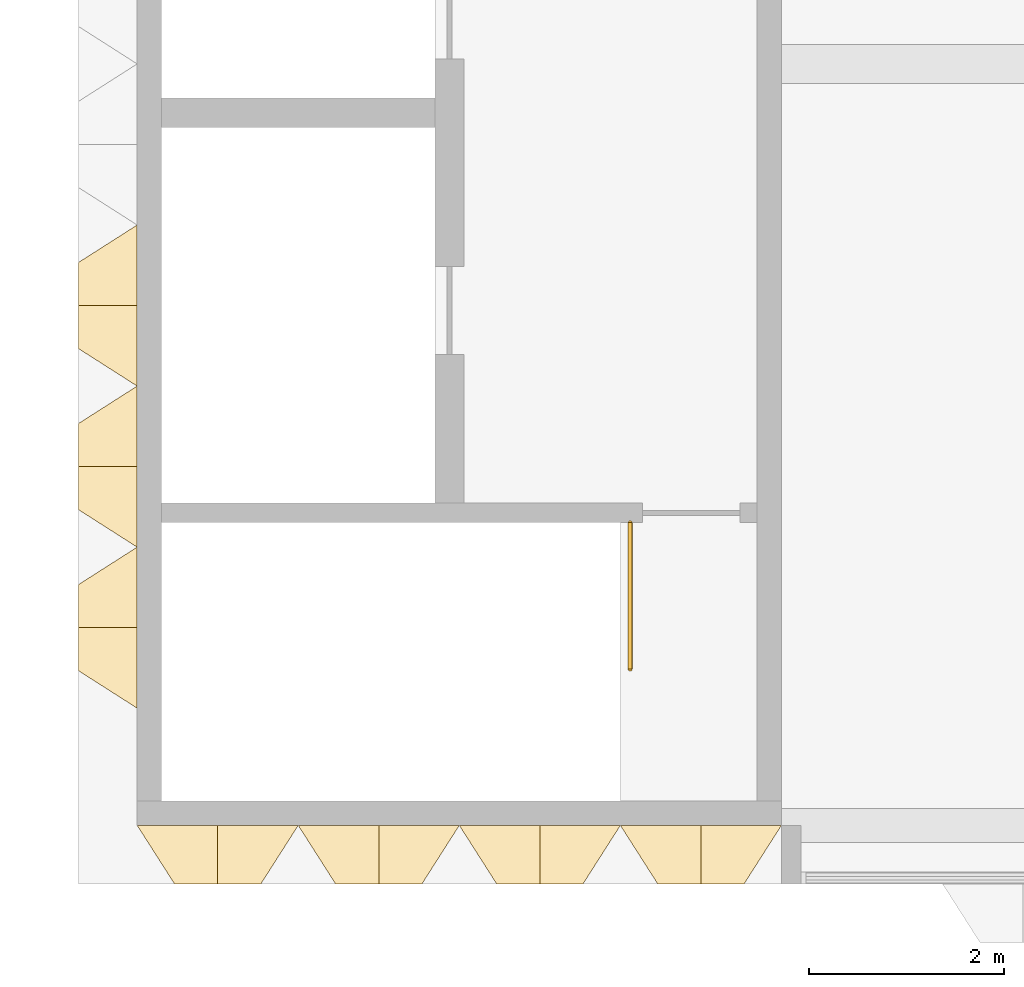
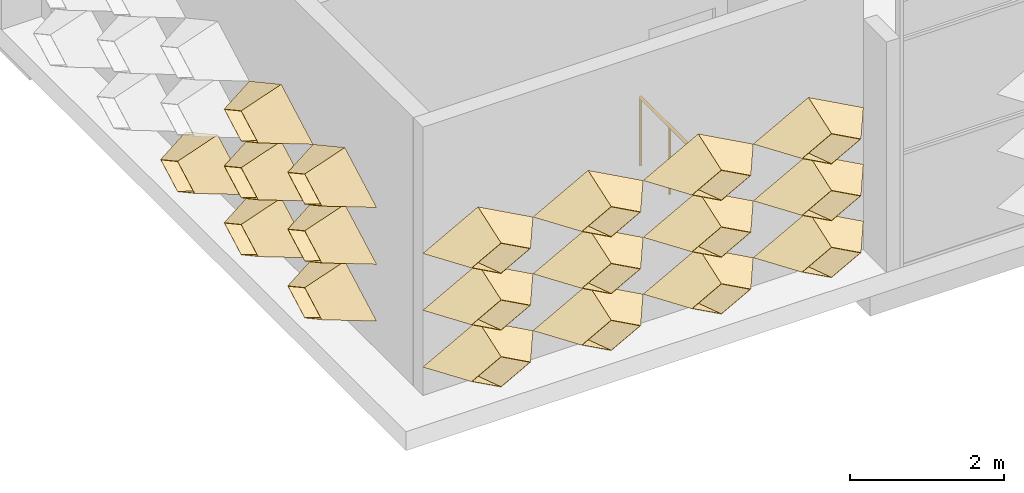
# One storey, part 11 of 21: 19 coverings, 1 railing.
"""IFC4 building model written with IfcOpenShell, lengths in metres."""

from ifc_helpers import new_model, entity, si_unit, direction, frame, origin, origin_2d, place, context, subcontext, project, spatial, circle, extrude, material, layer, layer_set, type_object, element, save


model = new_model("IFC4")

# Units and contexts
model_context = context("Model", 3, precision=1e-05, world=origin(), true_north=direction((0.0, 1.0)))
body_context = subcontext(model_context, "Body", "Model", "MODEL_VIEW")
ifc_project = project(units=[si_unit("LENGTHUNIT", "METRE"), si_unit("AREAUNIT", "SQUARE_METRE"), si_unit("VOLUMEUNIT", "CUBIC_METRE"), si_unit("PLANEANGLEUNIT", "RADIAN"), si_unit("MASSUNIT", "GRAM", prefix="KILO")], contexts=[model_context])

# Site, building, storey
site_placement = place(None, origin())
site = spatial("IfcSite", under=ifc_project, at=site_placement, CompositionType="ELEMENT")
building_placement = place(site_placement, origin())
building = spatial("IfcBuilding", under=site, at=building_placement, Name="Lantern Court Research Institute", CompositionType="ELEMENT")
storey_placement = place(building_placement, frame((0.0, 0.0, 41.39990234375)))
storey = spatial("IfcBuildingStorey", under=building, at=storey_placement, Name="L09", CompositionType="ELEMENT", Elevation=41.39990234375)

# Coverings
ifc_material_1 = material(Name="Anodised aluminium", Category="aluminium")
ifc_layer = layer(ifc_material_1, 0.01611328125)
ifc_layer_set = layer_set([ifc_layer], Name="Anodised aluminium")
covering_type = type_object("IfcCoveringType", Name="Fin cassette 1650 x 900 x 600 aluminium", PredefinedType="CLADDING", material=ifc_layer_set)
covering_1_placement = place(storey_placement, frame((53.625, -7.800048828125, 0.4501953125), z_axis=(0.0, -1.0, 0.0), x_axis=(1.0, 0.0, 0.0)))
cartesian_point_1 = entity("IfcCartesianPoint", [0.824951171875, 0.0])
cartesian_point_2 = entity("IfcCartesianPoint", [0.79150390625, 0.0])
cartesian_point_3 = entity("IfcCartesianPoint", [0.44189453125, 0.0])
cartesian_point_4 = entity("IfcCartesianPoint", [0.43359375, 0.0])
element("IfcCovering", 1, at=covering_1_placement, inside=storey, type_object=covering_type, Name="Fin cassette V5S-L09 1.33", PredefinedType="CLADDING", context=body_context, shape_type="SweptSolid", body=[
    entity("IfcExtrudedAreaSolidTapered", entity("IfcArbitraryProfileDefWithVoids", "AREA", None, entity("IfcPolyline", [cartesian_point_1, entity("IfcCartesianPoint", [0.0, 0.449951171875]), entity("IfcCartesianPoint", [-0.824951171875, 0.0]), entity("IfcCartesianPoint", [0.0, -0.449951171875]), cartesian_point_1]), [entity("IfcPolyline", [cartesian_point_2, entity("IfcCartesianPoint", [0.0, 0.431884765625]), entity("IfcCartesianPoint", [-0.79150390625, 0.0]), entity("IfcCartesianPoint", [0.0, -0.431884765625]), cartesian_point_2])]), entity("IfcAxis2Placement3D", entity("IfcCartesianPoint", [0.0, 0.0, 0.0])), entity("IfcDirection", [0.0, 0.0, 1.0]), 0.60009765625, entity("IfcArbitraryProfileDefWithVoids", "AREA", None, entity("IfcPolyline", [cartesian_point_3, entity("IfcCartesianPoint", [0.0, 0.240966796875]), entity("IfcCartesianPoint", [-0.44189453125, 0.0]), entity("IfcCartesianPoint", [0.0, -0.240966796875]), cartesian_point_3]), [entity("IfcPolyline", [cartesian_point_4, entity("IfcCartesianPoint", [0.0, 0.236572265625]), entity("IfcCartesianPoint", [-0.43359375, 0.0]), entity("IfcCartesianPoint", [0.0, -0.236572265625]), cartesian_point_4])])),
])
covering_2_placement = place(storey_placement, frame((55.27490234375, -7.800048828125, 0.4501953125), z_axis=(0.0, -1.0, 0.0), x_axis=(1.0, 0.0, 0.0)))
cartesian_point_5 = entity("IfcCartesianPoint", [0.824951171875, 0.0])
cartesian_point_6 = entity("IfcCartesianPoint", [0.79150390625, 0.0])
cartesian_point_7 = entity("IfcCartesianPoint", [0.44189453125, 0.0])
cartesian_point_8 = entity("IfcCartesianPoint", [0.43359375, 0.0])
element("IfcCovering", 2, at=covering_2_placement, inside=storey, type_object=covering_type, Name="Fin cassette V5S-L09 1.34", PredefinedType="CLADDING", context=body_context, shape_type="SweptSolid", body=[
    entity("IfcExtrudedAreaSolidTapered", entity("IfcArbitraryProfileDefWithVoids", "AREA", None, entity("IfcPolyline", [cartesian_point_5, entity("IfcCartesianPoint", [0.0, 0.449951171875]), entity("IfcCartesianPoint", [-0.824951171875, 0.0]), entity("IfcCartesianPoint", [0.0, -0.449951171875]), cartesian_point_5]), [entity("IfcPolyline", [cartesian_point_6, entity("IfcCartesianPoint", [0.0, 0.431884765625]), entity("IfcCartesianPoint", [-0.79150390625, 0.0]), entity("IfcCartesianPoint", [0.0, -0.431884765625]), cartesian_point_6])]), entity("IfcAxis2Placement3D", entity("IfcCartesianPoint", [0.0, 0.0, 0.0])), entity("IfcDirection", [0.0, 0.0, 1.0]), 0.60009765625, entity("IfcArbitraryProfileDefWithVoids", "AREA", None, entity("IfcPolyline", [cartesian_point_7, entity("IfcCartesianPoint", [0.0, 0.240966796875]), entity("IfcCartesianPoint", [-0.44189453125, 0.0]), entity("IfcCartesianPoint", [0.0, -0.240966796875]), cartesian_point_7]), [entity("IfcPolyline", [cartesian_point_8, entity("IfcCartesianPoint", [0.0, 0.236572265625]), entity("IfcCartesianPoint", [-0.43359375, 0.0]), entity("IfcCartesianPoint", [0.0, -0.236572265625]), cartesian_point_8])])),
])
covering_3_placement = place(storey_placement, frame((56.925048828125, -7.800048828125, 0.4501953125), z_axis=(0.0, -1.0, 0.0), x_axis=(1.0, 0.0, 0.0)))
cartesian_point_9 = entity("IfcCartesianPoint", [0.824951171875, 0.0])
cartesian_point_10 = entity("IfcCartesianPoint", [0.79150390625, 0.0])
cartesian_point_11 = entity("IfcCartesianPoint", [0.44189453125, 0.0])
cartesian_point_12 = entity("IfcCartesianPoint", [0.43359375, 0.0])
element("IfcCovering", 3, at=covering_3_placement, inside=storey, type_object=covering_type, Name="Fin cassette V5S-L09 1.35", PredefinedType="CLADDING", context=body_context, shape_type="SweptSolid", body=[
    entity("IfcExtrudedAreaSolidTapered", entity("IfcArbitraryProfileDefWithVoids", "AREA", None, entity("IfcPolyline", [cartesian_point_9, entity("IfcCartesianPoint", [0.0, 0.449951171875]), entity("IfcCartesianPoint", [-0.824951171875, 0.0]), entity("IfcCartesianPoint", [0.0, -0.449951171875]), cartesian_point_9]), [entity("IfcPolyline", [cartesian_point_10, entity("IfcCartesianPoint", [0.0, 0.431884765625]), entity("IfcCartesianPoint", [-0.79150390625, 0.0]), entity("IfcCartesianPoint", [0.0, -0.431884765625]), cartesian_point_10])]), entity("IfcAxis2Placement3D", entity("IfcCartesianPoint", [0.0, 0.0, 0.0])), entity("IfcDirection", [0.0, 0.0, 1.0]), 0.60009765625, entity("IfcArbitraryProfileDefWithVoids", "AREA", None, entity("IfcPolyline", [cartesian_point_11, entity("IfcCartesianPoint", [0.0, 0.240966796875]), entity("IfcCartesianPoint", [-0.44189453125, 0.0]), entity("IfcCartesianPoint", [0.0, -0.240966796875]), cartesian_point_11]), [entity("IfcPolyline", [cartesian_point_12, entity("IfcCartesianPoint", [0.0, 0.236572265625]), entity("IfcCartesianPoint", [-0.43359375, 0.0]), entity("IfcCartesianPoint", [0.0, -0.236572265625]), cartesian_point_12])])),
])
covering_4_placement = place(storey_placement, frame((58.574951171875, -7.800048828125, 0.4501953125), z_axis=(0.0, -1.0, 0.0), x_axis=(1.0, 0.0, 0.0)))
cartesian_point_13 = entity("IfcCartesianPoint", [0.824951171875, 0.0])
cartesian_point_14 = entity("IfcCartesianPoint", [0.79150390625, 0.0])
cartesian_point_15 = entity("IfcCartesianPoint", [0.44189453125, 0.0])
cartesian_point_16 = entity("IfcCartesianPoint", [0.43359375, 0.0])
element("IfcCovering", 4, at=covering_4_placement, inside=storey, type_object=covering_type, Name="Fin cassette V5S-L09 1.36", PredefinedType="CLADDING", context=body_context, shape_type="SweptSolid", body=[
    entity("IfcExtrudedAreaSolidTapered", entity("IfcArbitraryProfileDefWithVoids", "AREA", None, entity("IfcPolyline", [cartesian_point_13, entity("IfcCartesianPoint", [0.0, 0.449951171875]), entity("IfcCartesianPoint", [-0.824951171875, 0.0]), entity("IfcCartesianPoint", [0.0, -0.449951171875]), cartesian_point_13]), [entity("IfcPolyline", [cartesian_point_14, entity("IfcCartesianPoint", [0.0, 0.431884765625]), entity("IfcCartesianPoint", [-0.79150390625, 0.0]), entity("IfcCartesianPoint", [0.0, -0.431884765625]), cartesian_point_14])]), entity("IfcAxis2Placement3D", entity("IfcCartesianPoint", [0.0, 0.0, 0.0])), entity("IfcDirection", [0.0, 0.0, 1.0]), 0.60009765625, entity("IfcArbitraryProfileDefWithVoids", "AREA", None, entity("IfcPolyline", [cartesian_point_15, entity("IfcCartesianPoint", [0.0, 0.240966796875]), entity("IfcCartesianPoint", [-0.44189453125, 0.0]), entity("IfcCartesianPoint", [0.0, -0.240966796875]), cartesian_point_15]), [entity("IfcPolyline", [cartesian_point_16, entity("IfcCartesianPoint", [0.0, 0.236572265625]), entity("IfcCartesianPoint", [-0.43359375, 0.0]), entity("IfcCartesianPoint", [0.0, -0.236572265625]), cartesian_point_16])])),
])
covering_5_placement = place(storey_placement, frame((53.625, -7.800048828125, 1.35009765625), z_axis=(0.0, -1.0, 0.0), x_axis=(1.0, 0.0, 0.0)))
cartesian_point_17 = entity("IfcCartesianPoint", [0.824951171875, 0.0])
cartesian_point_18 = entity("IfcCartesianPoint", [0.79150390625, 0.0])
cartesian_point_19 = entity("IfcCartesianPoint", [0.44189453125, 0.0])
cartesian_point_20 = entity("IfcCartesianPoint", [0.43359375, 0.0])
element("IfcCovering", 5, at=covering_5_placement, inside=storey, type_object=covering_type, Name="Fin cassette V5S-L09 2.33", PredefinedType="CLADDING", context=body_context, shape_type="SweptSolid", body=[
    entity("IfcExtrudedAreaSolidTapered", entity("IfcArbitraryProfileDefWithVoids", "AREA", None, entity("IfcPolyline", [cartesian_point_17, entity("IfcCartesianPoint", [0.0, 0.449951171875]), entity("IfcCartesianPoint", [-0.824951171875, 0.0]), entity("IfcCartesianPoint", [0.0, -0.449951171875]), cartesian_point_17]), [entity("IfcPolyline", [cartesian_point_18, entity("IfcCartesianPoint", [0.0, 0.431884765625]), entity("IfcCartesianPoint", [-0.79150390625, 0.0]), entity("IfcCartesianPoint", [0.0, -0.431884765625]), cartesian_point_18])]), entity("IfcAxis2Placement3D", entity("IfcCartesianPoint", [0.0, 0.0, 0.0])), entity("IfcDirection", [0.0, 0.0, 1.0]), 0.60009765625, entity("IfcArbitraryProfileDefWithVoids", "AREA", None, entity("IfcPolyline", [cartesian_point_19, entity("IfcCartesianPoint", [0.0, 0.240966796875]), entity("IfcCartesianPoint", [-0.44189453125, 0.0]), entity("IfcCartesianPoint", [0.0, -0.240966796875]), cartesian_point_19]), [entity("IfcPolyline", [cartesian_point_20, entity("IfcCartesianPoint", [0.0, 0.236572265625]), entity("IfcCartesianPoint", [-0.43359375, 0.0]), entity("IfcCartesianPoint", [0.0, -0.236572265625]), cartesian_point_20])])),
])
covering_6_placement = place(storey_placement, frame((55.27490234375, -7.800048828125, 1.35009765625), z_axis=(0.0, -1.0, 0.0), x_axis=(1.0, 0.0, 0.0)))
cartesian_point_21 = entity("IfcCartesianPoint", [0.824951171875, 0.0])
cartesian_point_22 = entity("IfcCartesianPoint", [0.79150390625, 0.0])
cartesian_point_23 = entity("IfcCartesianPoint", [0.44189453125, 0.0])
cartesian_point_24 = entity("IfcCartesianPoint", [0.43359375, 0.0])
element("IfcCovering", 6, at=covering_6_placement, inside=storey, type_object=covering_type, Name="Fin cassette V5S-L09 2.34", PredefinedType="CLADDING", context=body_context, shape_type="SweptSolid", body=[
    entity("IfcExtrudedAreaSolidTapered", entity("IfcArbitraryProfileDefWithVoids", "AREA", None, entity("IfcPolyline", [cartesian_point_21, entity("IfcCartesianPoint", [0.0, 0.449951171875]), entity("IfcCartesianPoint", [-0.824951171875, 0.0]), entity("IfcCartesianPoint", [0.0, -0.449951171875]), cartesian_point_21]), [entity("IfcPolyline", [cartesian_point_22, entity("IfcCartesianPoint", [0.0, 0.431884765625]), entity("IfcCartesianPoint", [-0.79150390625, 0.0]), entity("IfcCartesianPoint", [0.0, -0.431884765625]), cartesian_point_22])]), entity("IfcAxis2Placement3D", entity("IfcCartesianPoint", [0.0, 0.0, 0.0])), entity("IfcDirection", [0.0, 0.0, 1.0]), 0.60009765625, entity("IfcArbitraryProfileDefWithVoids", "AREA", None, entity("IfcPolyline", [cartesian_point_23, entity("IfcCartesianPoint", [0.0, 0.240966796875]), entity("IfcCartesianPoint", [-0.44189453125, 0.0]), entity("IfcCartesianPoint", [0.0, -0.240966796875]), cartesian_point_23]), [entity("IfcPolyline", [cartesian_point_24, entity("IfcCartesianPoint", [0.0, 0.236572265625]), entity("IfcCartesianPoint", [-0.43359375, 0.0]), entity("IfcCartesianPoint", [0.0, -0.236572265625]), cartesian_point_24])])),
])
covering_7_placement = place(storey_placement, frame((56.925048828125, -7.800048828125, 1.35009765625), z_axis=(0.0, -1.0, 0.0), x_axis=(1.0, 0.0, 0.0)))
cartesian_point_25 = entity("IfcCartesianPoint", [0.824951171875, 0.0])
cartesian_point_26 = entity("IfcCartesianPoint", [0.79150390625, 0.0])
cartesian_point_27 = entity("IfcCartesianPoint", [0.44189453125, 0.0])
cartesian_point_28 = entity("IfcCartesianPoint", [0.43359375, 0.0])
element("IfcCovering", 7, at=covering_7_placement, inside=storey, type_object=covering_type, Name="Fin cassette V5S-L09 2.35", PredefinedType="CLADDING", context=body_context, shape_type="SweptSolid", body=[
    entity("IfcExtrudedAreaSolidTapered", entity("IfcArbitraryProfileDefWithVoids", "AREA", None, entity("IfcPolyline", [cartesian_point_25, entity("IfcCartesianPoint", [0.0, 0.449951171875]), entity("IfcCartesianPoint", [-0.824951171875, 0.0]), entity("IfcCartesianPoint", [0.0, -0.449951171875]), cartesian_point_25]), [entity("IfcPolyline", [cartesian_point_26, entity("IfcCartesianPoint", [0.0, 0.431884765625]), entity("IfcCartesianPoint", [-0.79150390625, 0.0]), entity("IfcCartesianPoint", [0.0, -0.431884765625]), cartesian_point_26])]), entity("IfcAxis2Placement3D", entity("IfcCartesianPoint", [0.0, 0.0, 0.0])), entity("IfcDirection", [0.0, 0.0, 1.0]), 0.60009765625, entity("IfcArbitraryProfileDefWithVoids", "AREA", None, entity("IfcPolyline", [cartesian_point_27, entity("IfcCartesianPoint", [0.0, 0.240966796875]), entity("IfcCartesianPoint", [-0.44189453125, 0.0]), entity("IfcCartesianPoint", [0.0, -0.240966796875]), cartesian_point_27]), [entity("IfcPolyline", [cartesian_point_28, entity("IfcCartesianPoint", [0.0, 0.236572265625]), entity("IfcCartesianPoint", [-0.43359375, 0.0]), entity("IfcCartesianPoint", [0.0, -0.236572265625]), cartesian_point_28])])),
])
covering_8_placement = place(storey_placement, frame((58.574951171875, -7.800048828125, 1.35009765625), z_axis=(0.0, -1.0, 0.0), x_axis=(1.0, 0.0, 0.0)))
cartesian_point_29 = entity("IfcCartesianPoint", [0.824951171875, 0.0])
cartesian_point_30 = entity("IfcCartesianPoint", [0.79150390625, 0.0])
cartesian_point_31 = entity("IfcCartesianPoint", [0.44189453125, 0.0])
cartesian_point_32 = entity("IfcCartesianPoint", [0.43359375, 0.0])
element("IfcCovering", 8, at=covering_8_placement, inside=storey, type_object=covering_type, Name="Fin cassette V5S-L09 2.36", PredefinedType="CLADDING", context=body_context, shape_type="SweptSolid", body=[
    entity("IfcExtrudedAreaSolidTapered", entity("IfcArbitraryProfileDefWithVoids", "AREA", None, entity("IfcPolyline", [cartesian_point_29, entity("IfcCartesianPoint", [0.0, 0.449951171875]), entity("IfcCartesianPoint", [-0.824951171875, 0.0]), entity("IfcCartesianPoint", [0.0, -0.449951171875]), cartesian_point_29]), [entity("IfcPolyline", [cartesian_point_30, entity("IfcCartesianPoint", [0.0, 0.431884765625]), entity("IfcCartesianPoint", [-0.79150390625, 0.0]), entity("IfcCartesianPoint", [0.0, -0.431884765625]), cartesian_point_30])]), entity("IfcAxis2Placement3D", entity("IfcCartesianPoint", [0.0, 0.0, 0.0])), entity("IfcDirection", [0.0, 0.0, 1.0]), 0.60009765625, entity("IfcArbitraryProfileDefWithVoids", "AREA", None, entity("IfcPolyline", [cartesian_point_31, entity("IfcCartesianPoint", [0.0, 0.240966796875]), entity("IfcCartesianPoint", [-0.44189453125, 0.0]), entity("IfcCartesianPoint", [0.0, -0.240966796875]), cartesian_point_31]), [entity("IfcPolyline", [cartesian_point_32, entity("IfcCartesianPoint", [0.0, 0.236572265625]), entity("IfcCartesianPoint", [-0.43359375, 0.0]), entity("IfcCartesianPoint", [0.0, -0.236572265625]), cartesian_point_32])])),
])
covering_9_placement = place(storey_placement, frame((53.625, -7.800048828125, 2.25), z_axis=(0.0, -1.0, 0.0), x_axis=(1.0, 0.0, 0.0)))
cartesian_point_33 = entity("IfcCartesianPoint", [0.824951171875, 0.0])
cartesian_point_34 = entity("IfcCartesianPoint", [0.79150390625, 0.0])
cartesian_point_35 = entity("IfcCartesianPoint", [0.44189453125, 0.0])
cartesian_point_36 = entity("IfcCartesianPoint", [0.43359375, 0.0])
element("IfcCovering", 9, at=covering_9_placement, inside=storey, type_object=covering_type, Name="Fin cassette V5S-L09 3.33", PredefinedType="CLADDING", context=body_context, shape_type="SweptSolid", body=[
    entity("IfcExtrudedAreaSolidTapered", entity("IfcArbitraryProfileDefWithVoids", "AREA", None, entity("IfcPolyline", [cartesian_point_33, entity("IfcCartesianPoint", [0.0, 0.449951171875]), entity("IfcCartesianPoint", [-0.824951171875, 0.0]), entity("IfcCartesianPoint", [0.0, -0.449951171875]), cartesian_point_33]), [entity("IfcPolyline", [cartesian_point_34, entity("IfcCartesianPoint", [0.0, 0.431884765625]), entity("IfcCartesianPoint", [-0.79150390625, 0.0]), entity("IfcCartesianPoint", [0.0, -0.431884765625]), cartesian_point_34])]), entity("IfcAxis2Placement3D", entity("IfcCartesianPoint", [0.0, 0.0, 0.0])), entity("IfcDirection", [0.0, 0.0, 1.0]), 0.60009765625, entity("IfcArbitraryProfileDefWithVoids", "AREA", None, entity("IfcPolyline", [cartesian_point_35, entity("IfcCartesianPoint", [0.0, 0.240966796875]), entity("IfcCartesianPoint", [-0.44189453125, 0.0]), entity("IfcCartesianPoint", [0.0, -0.240966796875]), cartesian_point_35]), [entity("IfcPolyline", [cartesian_point_36, entity("IfcCartesianPoint", [0.0, 0.236572265625]), entity("IfcCartesianPoint", [-0.43359375, 0.0]), entity("IfcCartesianPoint", [0.0, -0.236572265625]), cartesian_point_36])])),
])
covering_10_placement = place(storey_placement, frame((55.27490234375, -7.800048828125, 2.25), z_axis=(0.0, -1.0, 0.0), x_axis=(1.0, 0.0, 0.0)))
cartesian_point_37 = entity("IfcCartesianPoint", [0.824951171875, 0.0])
cartesian_point_38 = entity("IfcCartesianPoint", [0.79150390625, 0.0])
cartesian_point_39 = entity("IfcCartesianPoint", [0.44189453125, 0.0])
cartesian_point_40 = entity("IfcCartesianPoint", [0.43359375, 0.0])
element("IfcCovering", 10, at=covering_10_placement, inside=storey, type_object=covering_type, Name="Fin cassette V5S-L09 3.34", PredefinedType="CLADDING", context=body_context, shape_type="SweptSolid", body=[
    entity("IfcExtrudedAreaSolidTapered", entity("IfcArbitraryProfileDefWithVoids", "AREA", None, entity("IfcPolyline", [cartesian_point_37, entity("IfcCartesianPoint", [0.0, 0.449951171875]), entity("IfcCartesianPoint", [-0.824951171875, 0.0]), entity("IfcCartesianPoint", [0.0, -0.449951171875]), cartesian_point_37]), [entity("IfcPolyline", [cartesian_point_38, entity("IfcCartesianPoint", [0.0, 0.431884765625]), entity("IfcCartesianPoint", [-0.79150390625, 0.0]), entity("IfcCartesianPoint", [0.0, -0.431884765625]), cartesian_point_38])]), entity("IfcAxis2Placement3D", entity("IfcCartesianPoint", [0.0, 0.0, 0.0])), entity("IfcDirection", [0.0, 0.0, 1.0]), 0.60009765625, entity("IfcArbitraryProfileDefWithVoids", "AREA", None, entity("IfcPolyline", [cartesian_point_39, entity("IfcCartesianPoint", [0.0, 0.240966796875]), entity("IfcCartesianPoint", [-0.44189453125, 0.0]), entity("IfcCartesianPoint", [0.0, -0.240966796875]), cartesian_point_39]), [entity("IfcPolyline", [cartesian_point_40, entity("IfcCartesianPoint", [0.0, 0.236572265625]), entity("IfcCartesianPoint", [-0.43359375, 0.0]), entity("IfcCartesianPoint", [0.0, -0.236572265625]), cartesian_point_40])])),
])
covering_11_placement = place(storey_placement, frame((56.925048828125, -7.800048828125, 2.25), z_axis=(0.0, -1.0, 0.0), x_axis=(1.0, 0.0, 0.0)))
cartesian_point_41 = entity("IfcCartesianPoint", [0.824951171875, 0.0])
cartesian_point_42 = entity("IfcCartesianPoint", [0.79150390625, 0.0])
cartesian_point_43 = entity("IfcCartesianPoint", [0.44189453125, 0.0])
cartesian_point_44 = entity("IfcCartesianPoint", [0.43359375, 0.0])
element("IfcCovering", 11, at=covering_11_placement, inside=storey, type_object=covering_type, Name="Fin cassette V5S-L09 3.35", PredefinedType="CLADDING", context=body_context, shape_type="SweptSolid", body=[
    entity("IfcExtrudedAreaSolidTapered", entity("IfcArbitraryProfileDefWithVoids", "AREA", None, entity("IfcPolyline", [cartesian_point_41, entity("IfcCartesianPoint", [0.0, 0.449951171875]), entity("IfcCartesianPoint", [-0.824951171875, 0.0]), entity("IfcCartesianPoint", [0.0, -0.449951171875]), cartesian_point_41]), [entity("IfcPolyline", [cartesian_point_42, entity("IfcCartesianPoint", [0.0, 0.431884765625]), entity("IfcCartesianPoint", [-0.79150390625, 0.0]), entity("IfcCartesianPoint", [0.0, -0.431884765625]), cartesian_point_42])]), entity("IfcAxis2Placement3D", entity("IfcCartesianPoint", [0.0, 0.0, 0.0])), entity("IfcDirection", [0.0, 0.0, 1.0]), 0.60009765625, entity("IfcArbitraryProfileDefWithVoids", "AREA", None, entity("IfcPolyline", [cartesian_point_43, entity("IfcCartesianPoint", [0.0, 0.240966796875]), entity("IfcCartesianPoint", [-0.44189453125, 0.0]), entity("IfcCartesianPoint", [0.0, -0.240966796875]), cartesian_point_43]), [entity("IfcPolyline", [cartesian_point_44, entity("IfcCartesianPoint", [0.0, 0.236572265625]), entity("IfcCartesianPoint", [-0.43359375, 0.0]), entity("IfcCartesianPoint", [0.0, -0.236572265625]), cartesian_point_44])])),
])
covering_12_placement = place(storey_placement, frame((58.574951171875, -7.800048828125, 2.25), z_axis=(0.0, -1.0, 0.0), x_axis=(1.0, 0.0, 0.0)))
cartesian_point_45 = entity("IfcCartesianPoint", [0.824951171875, 0.0])
cartesian_point_46 = entity("IfcCartesianPoint", [0.79150390625, 0.0])
cartesian_point_47 = entity("IfcCartesianPoint", [0.44189453125, 0.0])
cartesian_point_48 = entity("IfcCartesianPoint", [0.43359375, 0.0])
element("IfcCovering", 12, at=covering_12_placement, inside=storey, type_object=covering_type, Name="Fin cassette V5S-L09 3.36", PredefinedType="CLADDING", context=body_context, shape_type="SweptSolid", body=[
    entity("IfcExtrudedAreaSolidTapered", entity("IfcArbitraryProfileDefWithVoids", "AREA", None, entity("IfcPolyline", [cartesian_point_45, entity("IfcCartesianPoint", [0.0, 0.449951171875]), entity("IfcCartesianPoint", [-0.824951171875, 0.0]), entity("IfcCartesianPoint", [0.0, -0.449951171875]), cartesian_point_45]), [entity("IfcPolyline", [cartesian_point_46, entity("IfcCartesianPoint", [0.0, 0.431884765625]), entity("IfcCartesianPoint", [-0.79150390625, 0.0]), entity("IfcCartesianPoint", [0.0, -0.431884765625]), cartesian_point_46])]), entity("IfcAxis2Placement3D", entity("IfcCartesianPoint", [0.0, 0.0, 0.0])), entity("IfcDirection", [0.0, 0.0, 1.0]), 0.60009765625, entity("IfcArbitraryProfileDefWithVoids", "AREA", None, entity("IfcPolyline", [cartesian_point_47, entity("IfcCartesianPoint", [0.0, 0.240966796875]), entity("IfcCartesianPoint", [-0.44189453125, 0.0]), entity("IfcCartesianPoint", [0.0, -0.240966796875]), cartesian_point_47]), [entity("IfcPolyline", [cartesian_point_48, entity("IfcCartesianPoint", [0.0, 0.236572265625]), entity("IfcCartesianPoint", [-0.43359375, 0.0]), entity("IfcCartesianPoint", [0.0, -0.236572265625]), cartesian_point_48])])),
])
covering_13_placement = place(storey_placement, frame((52.800048828125, -5.77490234375, 0.4501953125), z_axis=(-1.0, 0.0, 0.0), x_axis=(0.0, -1.0, 0.0)))
cartesian_point_49 = entity("IfcCartesianPoint", [0.824951171875, 0.0])
cartesian_point_50 = entity("IfcCartesianPoint", [0.79150390625, 0.0])
cartesian_point_51 = entity("IfcCartesianPoint", [0.44189453125, 0.0])
cartesian_point_52 = entity("IfcCartesianPoint", [0.43359375, 0.0])
element("IfcCovering", 13, at=covering_13_placement, inside=storey, type_object=covering_type, Name="Fin cassette V5W-L09 1.-3", PredefinedType="CLADDING", context=body_context, shape_type="SweptSolid", body=[
    entity("IfcExtrudedAreaSolidTapered", entity("IfcArbitraryProfileDefWithVoids", "AREA", None, entity("IfcPolyline", [cartesian_point_49, entity("IfcCartesianPoint", [0.0, 0.449951171875]), entity("IfcCartesianPoint", [-0.824951171875, 0.0]), entity("IfcCartesianPoint", [0.0, -0.449951171875]), cartesian_point_49]), [entity("IfcPolyline", [cartesian_point_50, entity("IfcCartesianPoint", [0.0, 0.431884765625]), entity("IfcCartesianPoint", [-0.79150390625, 0.0]), entity("IfcCartesianPoint", [0.0, -0.431884765625]), cartesian_point_50])]), entity("IfcAxis2Placement3D", entity("IfcCartesianPoint", [0.0, 0.0, 0.0])), entity("IfcDirection", [0.0, 0.0, 1.0]), 0.60009765625, entity("IfcArbitraryProfileDefWithVoids", "AREA", None, entity("IfcPolyline", [cartesian_point_51, entity("IfcCartesianPoint", [0.0, 0.240966796875]), entity("IfcCartesianPoint", [-0.44189453125, 0.0]), entity("IfcCartesianPoint", [0.0, -0.240966796875]), cartesian_point_51]), [entity("IfcPolyline", [cartesian_point_52, entity("IfcCartesianPoint", [0.0, 0.236572265625]), entity("IfcCartesianPoint", [-0.43359375, 0.0]), entity("IfcCartesianPoint", [0.0, -0.236572265625]), cartesian_point_52])])),
])
covering_14_placement = place(storey_placement, frame((52.800048828125, -4.125, 0.4501953125), z_axis=(-1.0, 0.0, 0.0), x_axis=(0.0, -1.0, 0.0)))
cartesian_point_53 = entity("IfcCartesianPoint", [0.824951171875, 0.0])
cartesian_point_54 = entity("IfcCartesianPoint", [0.79150390625, 0.0])
cartesian_point_55 = entity("IfcCartesianPoint", [0.44189453125, 0.0])
cartesian_point_56 = entity("IfcCartesianPoint", [0.43359375, 0.0])
element("IfcCovering", 14, at=covering_14_placement, inside=storey, type_object=covering_type, Name="Fin cassette V5W-L09 1.-2", PredefinedType="CLADDING", context=body_context, shape_type="SweptSolid", body=[
    entity("IfcExtrudedAreaSolidTapered", entity("IfcArbitraryProfileDefWithVoids", "AREA", None, entity("IfcPolyline", [cartesian_point_53, entity("IfcCartesianPoint", [0.0, 0.449951171875]), entity("IfcCartesianPoint", [-0.824951171875, 0.0]), entity("IfcCartesianPoint", [0.0, -0.449951171875]), cartesian_point_53]), [entity("IfcPolyline", [cartesian_point_54, entity("IfcCartesianPoint", [0.0, 0.431884765625]), entity("IfcCartesianPoint", [-0.79150390625, 0.0]), entity("IfcCartesianPoint", [0.0, -0.431884765625]), cartesian_point_54])]), entity("IfcAxis2Placement3D", entity("IfcCartesianPoint", [0.0, 0.0, 0.0])), entity("IfcDirection", [0.0, 0.0, 1.0]), 0.60009765625, entity("IfcArbitraryProfileDefWithVoids", "AREA", None, entity("IfcPolyline", [cartesian_point_55, entity("IfcCartesianPoint", [0.0, 0.240966796875]), entity("IfcCartesianPoint", [-0.44189453125, 0.0]), entity("IfcCartesianPoint", [0.0, -0.240966796875]), cartesian_point_55]), [entity("IfcPolyline", [cartesian_point_56, entity("IfcCartesianPoint", [0.0, 0.236572265625]), entity("IfcCartesianPoint", [-0.43359375, 0.0]), entity("IfcCartesianPoint", [0.0, -0.236572265625]), cartesian_point_56])])),
])
covering_15_placement = place(storey_placement, frame((52.800048828125, -2.47509765625, 0.4501953125), z_axis=(-1.0, 0.0, 0.0), x_axis=(0.0, -1.0, 0.0)))
cartesian_point_57 = entity("IfcCartesianPoint", [0.824951171875, 0.0])
cartesian_point_58 = entity("IfcCartesianPoint", [0.79150390625, 0.0])
cartesian_point_59 = entity("IfcCartesianPoint", [0.44189453125, 0.0])
cartesian_point_60 = entity("IfcCartesianPoint", [0.43359375, 0.0])
element("IfcCovering", 15, at=covering_15_placement, inside=storey, type_object=covering_type, Name="Fin cassette V5W-L09 1.-1", PredefinedType="CLADDING", context=body_context, shape_type="SweptSolid", body=[
    entity("IfcExtrudedAreaSolidTapered", entity("IfcArbitraryProfileDefWithVoids", "AREA", None, entity("IfcPolyline", [cartesian_point_57, entity("IfcCartesianPoint", [0.0, 0.449951171875]), entity("IfcCartesianPoint", [-0.824951171875, 0.0]), entity("IfcCartesianPoint", [0.0, -0.449951171875]), cartesian_point_57]), [entity("IfcPolyline", [cartesian_point_58, entity("IfcCartesianPoint", [0.0, 0.431884765625]), entity("IfcCartesianPoint", [-0.79150390625, 0.0]), entity("IfcCartesianPoint", [0.0, -0.431884765625]), cartesian_point_58])]), entity("IfcAxis2Placement3D", entity("IfcCartesianPoint", [0.0, 0.0, 0.0])), entity("IfcDirection", [0.0, 0.0, 1.0]), 0.60009765625, entity("IfcArbitraryProfileDefWithVoids", "AREA", None, entity("IfcPolyline", [cartesian_point_59, entity("IfcCartesianPoint", [0.0, 0.240966796875]), entity("IfcCartesianPoint", [-0.44189453125, 0.0]), entity("IfcCartesianPoint", [0.0, -0.240966796875]), cartesian_point_59]), [entity("IfcPolyline", [cartesian_point_60, entity("IfcCartesianPoint", [0.0, 0.236572265625]), entity("IfcCartesianPoint", [-0.43359375, 0.0]), entity("IfcCartesianPoint", [0.0, -0.236572265625]), cartesian_point_60])])),
])
covering_16_placement = place(storey_placement, frame((52.800048828125, -5.77490234375, 1.35009765625), z_axis=(-1.0, 0.0, 0.0), x_axis=(0.0, -1.0, 0.0)))
cartesian_point_61 = entity("IfcCartesianPoint", [0.824951171875, 0.0])
cartesian_point_62 = entity("IfcCartesianPoint", [0.79150390625, 0.0])
cartesian_point_63 = entity("IfcCartesianPoint", [0.44189453125, 0.0])
cartesian_point_64 = entity("IfcCartesianPoint", [0.43359375, 0.0])
element("IfcCovering", 16, at=covering_16_placement, inside=storey, type_object=covering_type, Name="Fin cassette V5W-L09 2.-3", PredefinedType="CLADDING", context=body_context, shape_type="SweptSolid", body=[
    entity("IfcExtrudedAreaSolidTapered", entity("IfcArbitraryProfileDefWithVoids", "AREA", None, entity("IfcPolyline", [cartesian_point_61, entity("IfcCartesianPoint", [0.0, 0.449951171875]), entity("IfcCartesianPoint", [-0.824951171875, 0.0]), entity("IfcCartesianPoint", [0.0, -0.449951171875]), cartesian_point_61]), [entity("IfcPolyline", [cartesian_point_62, entity("IfcCartesianPoint", [0.0, 0.431884765625]), entity("IfcCartesianPoint", [-0.79150390625, 0.0]), entity("IfcCartesianPoint", [0.0, -0.431884765625]), cartesian_point_62])]), entity("IfcAxis2Placement3D", entity("IfcCartesianPoint", [0.0, 0.0, 0.0])), entity("IfcDirection", [0.0, 0.0, 1.0]), 0.60009765625, entity("IfcArbitraryProfileDefWithVoids", "AREA", None, entity("IfcPolyline", [cartesian_point_63, entity("IfcCartesianPoint", [0.0, 0.240966796875]), entity("IfcCartesianPoint", [-0.44189453125, 0.0]), entity("IfcCartesianPoint", [0.0, -0.240966796875]), cartesian_point_63]), [entity("IfcPolyline", [cartesian_point_64, entity("IfcCartesianPoint", [0.0, 0.236572265625]), entity("IfcCartesianPoint", [-0.43359375, 0.0]), entity("IfcCartesianPoint", [0.0, -0.236572265625]), cartesian_point_64])])),
])
covering_17_placement = place(storey_placement, frame((52.800048828125, -4.125, 1.35009765625), z_axis=(-1.0, 0.0, 0.0), x_axis=(0.0, -1.0, 0.0)))
cartesian_point_65 = entity("IfcCartesianPoint", [0.824951171875, 0.0])
cartesian_point_66 = entity("IfcCartesianPoint", [0.79150390625, 0.0])
cartesian_point_67 = entity("IfcCartesianPoint", [0.44189453125, 0.0])
cartesian_point_68 = entity("IfcCartesianPoint", [0.43359375, 0.0])
element("IfcCovering", 17, at=covering_17_placement, inside=storey, type_object=covering_type, Name="Fin cassette V5W-L09 2.-2", PredefinedType="CLADDING", context=body_context, shape_type="SweptSolid", body=[
    entity("IfcExtrudedAreaSolidTapered", entity("IfcArbitraryProfileDefWithVoids", "AREA", None, entity("IfcPolyline", [cartesian_point_65, entity("IfcCartesianPoint", [0.0, 0.449951171875]), entity("IfcCartesianPoint", [-0.824951171875, 0.0]), entity("IfcCartesianPoint", [0.0, -0.449951171875]), cartesian_point_65]), [entity("IfcPolyline", [cartesian_point_66, entity("IfcCartesianPoint", [0.0, 0.431884765625]), entity("IfcCartesianPoint", [-0.79150390625, 0.0]), entity("IfcCartesianPoint", [0.0, -0.431884765625]), cartesian_point_66])]), entity("IfcAxis2Placement3D", entity("IfcCartesianPoint", [0.0, 0.0, 0.0])), entity("IfcDirection", [0.0, 0.0, 1.0]), 0.60009765625, entity("IfcArbitraryProfileDefWithVoids", "AREA", None, entity("IfcPolyline", [cartesian_point_67, entity("IfcCartesianPoint", [0.0, 0.240966796875]), entity("IfcCartesianPoint", [-0.44189453125, 0.0]), entity("IfcCartesianPoint", [0.0, -0.240966796875]), cartesian_point_67]), [entity("IfcPolyline", [cartesian_point_68, entity("IfcCartesianPoint", [0.0, 0.236572265625]), entity("IfcCartesianPoint", [-0.43359375, 0.0]), entity("IfcCartesianPoint", [0.0, -0.236572265625]), cartesian_point_68])])),
])
covering_18_placement = place(storey_placement, frame((52.800048828125, -5.77490234375, 2.25), z_axis=(-1.0, 0.0, 0.0), x_axis=(0.0, -1.0, 0.0)))
cartesian_point_69 = entity("IfcCartesianPoint", [0.824951171875, 0.0])
cartesian_point_70 = entity("IfcCartesianPoint", [0.79150390625, 0.0])
cartesian_point_71 = entity("IfcCartesianPoint", [0.44189453125, 0.0])
cartesian_point_72 = entity("IfcCartesianPoint", [0.43359375, 0.0])
element("IfcCovering", 18, at=covering_18_placement, inside=storey, type_object=covering_type, Name="Fin cassette V5W-L09 3.-3", PredefinedType="CLADDING", context=body_context, shape_type="SweptSolid", body=[
    entity("IfcExtrudedAreaSolidTapered", entity("IfcArbitraryProfileDefWithVoids", "AREA", None, entity("IfcPolyline", [cartesian_point_69, entity("IfcCartesianPoint", [0.0, 0.449951171875]), entity("IfcCartesianPoint", [-0.824951171875, 0.0]), entity("IfcCartesianPoint", [0.0, -0.449951171875]), cartesian_point_69]), [entity("IfcPolyline", [cartesian_point_70, entity("IfcCartesianPoint", [0.0, 0.431884765625]), entity("IfcCartesianPoint", [-0.79150390625, 0.0]), entity("IfcCartesianPoint", [0.0, -0.431884765625]), cartesian_point_70])]), entity("IfcAxis2Placement3D", entity("IfcCartesianPoint", [0.0, 0.0, 0.0])), entity("IfcDirection", [0.0, 0.0, 1.0]), 0.60009765625, entity("IfcArbitraryProfileDefWithVoids", "AREA", None, entity("IfcPolyline", [cartesian_point_71, entity("IfcCartesianPoint", [0.0, 0.240966796875]), entity("IfcCartesianPoint", [-0.44189453125, 0.0]), entity("IfcCartesianPoint", [0.0, -0.240966796875]), cartesian_point_71]), [entity("IfcPolyline", [cartesian_point_72, entity("IfcCartesianPoint", [0.0, 0.236572265625]), entity("IfcCartesianPoint", [-0.43359375, 0.0]), entity("IfcCartesianPoint", [0.0, -0.236572265625]), cartesian_point_72])])),
])
covering_19_placement = place(storey_placement, frame((52.800048828125, -4.125, 2.25), z_axis=(-1.0, 0.0, 0.0), x_axis=(0.0, -1.0, 0.0)))
cartesian_point_73 = entity("IfcCartesianPoint", [0.824951171875, 0.0])
cartesian_point_74 = entity("IfcCartesianPoint", [0.79150390625, 0.0])
cartesian_point_75 = entity("IfcCartesianPoint", [0.44189453125, 0.0])
cartesian_point_76 = entity("IfcCartesianPoint", [0.43359375, 0.0])
element("IfcCovering", 19, at=covering_19_placement, inside=storey, type_object=covering_type, Name="Fin cassette V5W-L09 3.-2", PredefinedType="CLADDING", context=body_context, shape_type="SweptSolid", body=[
    entity("IfcExtrudedAreaSolidTapered", entity("IfcArbitraryProfileDefWithVoids", "AREA", None, entity("IfcPolyline", [cartesian_point_73, entity("IfcCartesianPoint", [0.0, 0.449951171875]), entity("IfcCartesianPoint", [-0.824951171875, 0.0]), entity("IfcCartesianPoint", [0.0, -0.449951171875]), cartesian_point_73]), [entity("IfcPolyline", [cartesian_point_74, entity("IfcCartesianPoint", [0.0, 0.431884765625]), entity("IfcCartesianPoint", [-0.79150390625, 0.0]), entity("IfcCartesianPoint", [0.0, -0.431884765625]), cartesian_point_74])]), entity("IfcAxis2Placement3D", entity("IfcCartesianPoint", [0.0, 0.0, 0.0])), entity("IfcDirection", [0.0, 0.0, 1.0]), 0.60009765625, entity("IfcArbitraryProfileDefWithVoids", "AREA", None, entity("IfcPolyline", [cartesian_point_75, entity("IfcCartesianPoint", [0.0, 0.240966796875]), entity("IfcCartesianPoint", [-0.44189453125, 0.0]), entity("IfcCartesianPoint", [0.0, -0.240966796875]), cartesian_point_75]), [entity("IfcPolyline", [cartesian_point_76, entity("IfcCartesianPoint", [0.0, 0.236572265625]), entity("IfcCartesianPoint", [-0.43359375, 0.0]), entity("IfcCartesianPoint", [0.0, -0.236572265625]), cartesian_point_76])])),
])

# Railing
ifc_material_2 = material(Name="Structural steel S355", Category="steel")
railing_type = type_object("IfcRailingType", Name="Stair guard 1100 steel", PredefinedType="GUARDRAIL", material=ifc_material_2)
railing_placement = place(storey_placement, frame((57.85009765625, -4.699951171875, 0.0)))
element("IfcRailing", 20, at=railing_placement, inside=storey, type_object=railing_type, Name="L09 ST-T1 top well guard 1", PredefinedType="GUARDRAIL", context=body_context, shape_type="SweptSolid", body=[
    extrude(circle(Radius=0.02392578125, at=origin_2d()), frame((0.0, 0.0, 1.076171875), z_axis=(0.0, -1.0, 0.0), x_axis=(1.0, 0.0, 0.0)), (0.0, 0.0, 1.0), 1.5),
    extrude(circle(Radius=0.02099609375, at=origin_2d()), origin(), (0.0, 0.0, 1.0), 1.052001953125),
    extrude(circle(Radius=0.02099609375, at=origin_2d()), frame((0.0, -0.75, 0.0)), (0.0, 0.0, 1.0), 1.052001953125),
    extrude(circle(Radius=0.02099609375, at=origin_2d()), frame((0.0, -1.5, 0.0)), (0.0, 0.0, 1.0), 1.052001953125),
])

save(model, "model.ifc")
